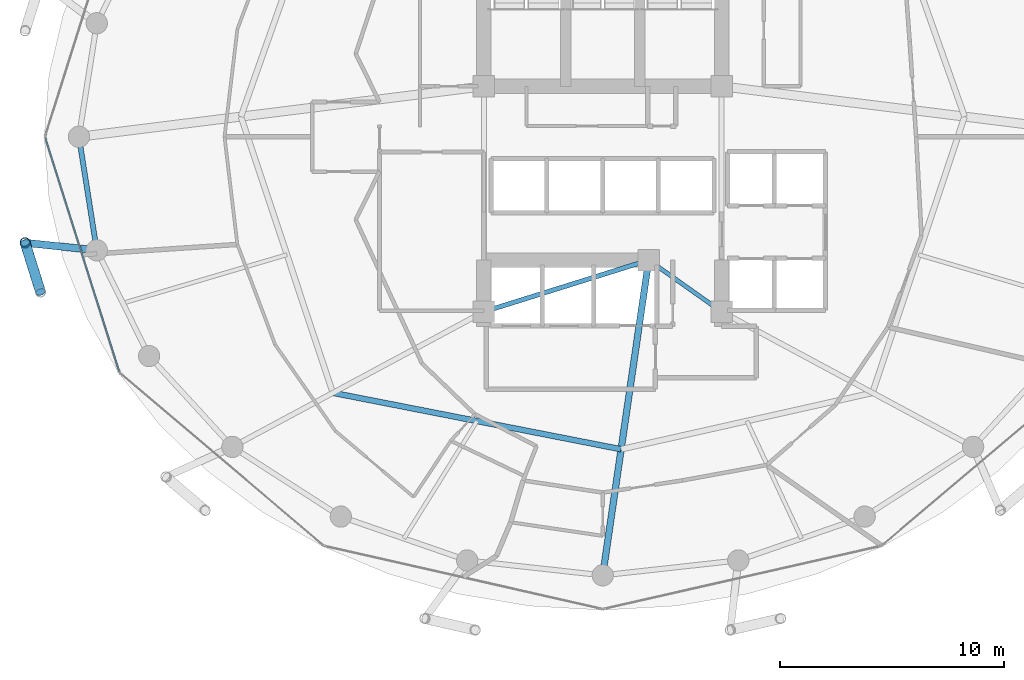
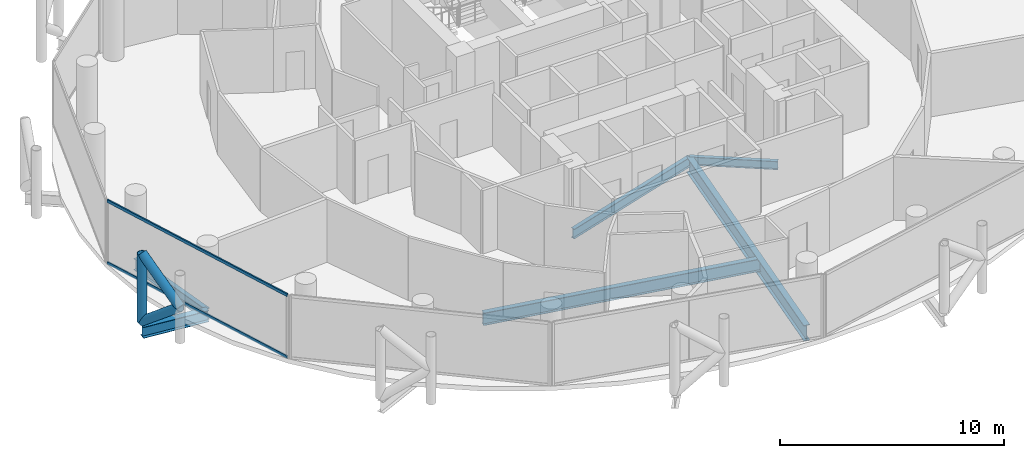
# One storey, part 5 of 26: 6 beams, 5 members, 1 element without a shape of its own.
"""IFC4 building model written with IfcOpenShell, lengths in metres."""

from ifc_helpers import new_model, si_unit, direction, frame, origin, origin_2d, place, context, subcontext, project, spatial, hollow_rectangle, hollow_circle, i_section, extrude, material, layer, layer_set, material_profile, profile_set, type_object, element, aggregate, save


model = new_model("IFC4")

# Units and contexts
model_context = context("Model", 3, precision=1e-05, world=origin(), true_north=direction((0.0, 1.0)))
body_context = subcontext(model_context, "Body", "Model", "MODEL_VIEW")
ifc_project = project(units=[si_unit("LENGTHUNIT", "METRE"), si_unit("AREAUNIT", "SQUARE_METRE"), si_unit("VOLUMEUNIT", "CUBIC_METRE"), si_unit("PLANEANGLEUNIT", "RADIAN"), si_unit("MASSUNIT", "GRAM", prefix="KILO")], contexts=[model_context])

# Site, building, storey
site_placement = place(None, origin())
site = spatial("IfcSite", under=ifc_project, at=site_placement, CompositionType="ELEMENT")
building_placement = place(site_placement, origin())
building = spatial("IfcBuilding", under=site, at=building_placement, Name="Nuhasar Tower", CompositionType="ELEMENT")
storey_placement = place(building_placement, frame((0.0, 0.0, 155.25)))
storey = spatial("IfcBuildingStorey", under=building, at=storey_placement, Name="L37", CompositionType="ELEMENT", Elevation=155.25)

# Beams
ifc_material_1 = material(Name="Steel S355", Category="steel")
ifc_material_profile_1 = material_profile(ifc_material_1, i_section(OverallWidth=0.25390625, OverallDepth=0.68408203125, WebThickness=0.012451171875, FlangeThickness=0.018798828125, at=origin_2d()), Name="W27X94")
ifc_profile_set_1 = profile_set([ifc_material_profile_1], Name="Steel S355")
beam_type_1 = type_object("IfcBeamType", Name="BM-INRING-W27X94", PredefinedType="BEAM", material=ifc_profile_set_1)
beam_1_placement = place(storey_placement, frame((26.972900390625, 15.385986328125, -0.592041015625), z_axis=(0.981359637088, -0.192180286956, 0.0), x_axis=(0.192180286956, 0.981359637088, 0.0)))
element("IfcBeam", 1, at=beam_1_placement, inside=storey, type_object=beam_type_1, Name="L37 Inner Header Beam 01", PredefinedType="BEAM", context=body_context, shape_type="SweptSolid", body=[
    extrude(i_section(OverallWidth=0.25390625, OverallDepth=0.68408203125, WebThickness=0.012451171875, FlangeThickness=0.018798828125, at=origin_2d()), origin(), (0.0, 0.0, 1.0), 13.09130859375),
])
ifc_material_profile_2 = material_profile(ifc_material_1, i_section(OverallWidth=0.2919921875, OverallDepth=0.85888671875, WebThickness=0.01708984375, FlangeThickness=0.031005859375, at=origin_2d()), Name="W33X169")
ifc_profile_set_2 = profile_set([ifc_material_profile_2], Name="Steel S355")
beam_type_2 = type_object("IfcBeamType", Name="BM-POD-W33X169", PredefinedType="BEAM", material=ifc_profile_set_2)
beam_2_placement = place(storey_placement, frame((41.050048828125, 21.300048828125, -0.678955078125), z_axis=(-0.144381604017, -0.989522082837, 0.0), x_axis=(0.989522082837, -0.144381604017, 0.0)))
element("IfcBeam", 2, at=beam_2_placement, inside=storey, type_object=beam_type_2, Name="L37 Radial Floor Girder 02", PredefinedType="BEAM", context=body_context, shape_type="SweptSolid", body=[
    extrude(i_section(OverallWidth=0.2919921875, OverallDepth=0.85888671875, WebThickness=0.01708984375, FlangeThickness=0.031005859375, at=origin_2d()), origin(), (0.0, 0.0, 1.0), 14.19873046875),
])
ifc_material_profile_3 = material_profile(ifc_material_1, i_section(OverallWidth=0.18994140625, OverallDepth=0.45703125, WebThickness=0.009033203125, FlangeThickness=0.014404296875, at=origin_2d()), Name="W18X50")
ifc_profile_set_3 = profile_set([ifc_material_profile_3], Name="Steel S355")
beam_type_3 = type_object("IfcBeamType", Name="BM-RAD-W18X50", PredefinedType="BEAM", material=ifc_profile_set_3)
beam_3_placement = place(storey_placement, frame((41.050048828125, 21.300048828125, -0.47802734375), z_axis=(0.816265428953, -0.577677028708, 0.0), x_axis=(0.577677028708, 0.816265428953, 0.0)))
element("IfcBeam", 3, at=beam_3_placement, inside=storey, type_object=beam_type_3, Name="L37 Core Ring Girder 2", PredefinedType="BEAM", context=body_context, shape_type="SweptSolid", body=[
    extrude(i_section(OverallWidth=0.18994140625, OverallDepth=0.45703125, WebThickness=0.009033203125, FlangeThickness=0.014404296875, at=origin_2d()), origin(), (0.0, 0.0, 1.0), 3.9814453125),
])
ifc_material_profile_4 = material_profile(ifc_material_1, i_section(OverallWidth=0.208984375, OverallDepth=0.532958984375, WebThickness=0.01025390625, FlangeThickness=0.015625, at=origin_2d()), Name="W21X62")
ifc_profile_set_4 = profile_set([ifc_material_profile_4], Name="Steel S355")
beam_type_4 = type_object("IfcBeamType", Name="BM-RAD-W21X62", PredefinedType="BEAM", material=ifc_profile_set_4)
beam_4_placement = place(storey_placement, frame((33.699951171875, 19.0, -0.51708984375), z_axis=(0.954363709454, 0.298646798205, 0.0), x_axis=(-0.298646798205, 0.954363709454, 0.0)))
element("IfcBeam", 4, at=beam_4_placement, inside=storey, type_object=beam_type_4, Name="L37 Core Ring Girder 1", PredefinedType="BEAM", context=body_context, shape_type="SweptSolid", body=[
    extrude(i_section(OverallWidth=0.208984375, OverallDepth=0.532958984375, WebThickness=0.01025390625, FlangeThickness=0.015625, at=origin_2d()), origin(), (0.0, 0.0, 1.0), 7.70166015625),
])
ifc_material_profile_5 = material_profile(ifc_material_1, i_section(OverallWidth=0.22998046875, OverallDepth=0.616943359375, WebThickness=0.01318359375, FlangeThickness=0.022216796875, at=origin_2d()), Name="W24X94")
ifc_profile_set_5 = profile_set([ifc_material_profile_5], Name="Steel S355")
beam_type_5 = type_object("IfcBeamType", Name="BM-RING-W24X94", PredefinedType="SPANDREL", material=ifc_profile_set_5)
beam_5_placement = place(storey_placement, frame((15.64990234375, 26.800048828125, -0.55908203125), z_axis=(0.155426543608, -0.987847452566, 0.0), x_axis=(0.987847452566, 0.155426543608, 0.0)))
element("IfcBeam", 5, at=beam_5_placement, inside=storey, type_object=beam_type_5, Name="L37 Perimeter Ring Spandrel 13", PredefinedType="SPANDREL", context=body_context, shape_type="SweptSolid", body=[
    extrude(i_section(OverallWidth=0.22998046875, OverallDepth=0.616943359375, WebThickness=0.01318359375, FlangeThickness=0.022216796875, at=origin_2d()), origin(), (0.0, 0.0, 1.0), 5.122314453125),
])
ifc_material_profile_6 = material_profile(ifc_material_1, i_section(OverallWidth=0.323974609375, OverallDepth=0.611083984375, WebThickness=0.0126953125, FlangeThickness=0.01904296875, at=origin_2d()), Name="W24X104")
ifc_profile_set_6 = profile_set([ifc_material_profile_6], Name="Steel S355")
beam_type_6 = type_object("IfcBeamType", Name="BM-TIE-W24X104", PredefinedType="BEAM", material=ifc_profile_set_6)
beam_6_placement = place(storey_placement, frame((16.446044921875, 21.739990234375, -0.554931640625), z_axis=(-0.994577694483, 0.103996200111, 0.0), x_axis=(-0.103996200111, -0.994577694483, 0.0)))
element("IfcBeam", 6, at=beam_6_placement, inside=storey, type_object=beam_type_6, Name="L37 Exoskeleton Node Tie Beam 07", PredefinedType="BEAM", context=body_context, shape_type="SweptSolid", body=[
    extrude(i_section(OverallWidth=0.323974609375, OverallDepth=0.611083984375, WebThickness=0.0126953125, FlangeThickness=0.01904296875, at=origin_2d()), origin(), (0.0, 0.0, 1.0), 3.21142578125),
])

# Curtain wall, members
ifc_material_2 = material(Name="Aluminium 6063-T6", Category="aluminium")
ifc_layer = layer(ifc_material_2, 0.199951171875)
ifc_layer_set = layer_set([ifc_layer], Name="Aluminium 6063-T6")
curtain_wall_type = type_object("IfcCurtainWallType", Name="CW-Z2-HTL", PredefinedType="NOTDEFINED", material=ifc_layer_set)
curtain_wall_placement = place(storey_placement, origin())
curtain_wall = element("IfcCurtainWall", 7, at=curtain_wall_placement, inside=storey, type_object=curtain_wall_type, Name="L37 Unitised Curtain Wall 07", PredefinedType="NOTDEFINED")
ifc_material_profile_7 = material_profile(ifc_material_2, hollow_rectangle(XDim=0.070068359375, YDim=0.159912109375, WallThickness=0.00439453125, at=origin_2d()), Name="CWT-3")
ifc_profile_set_7 = profile_set([ifc_material_profile_7], Name="Aluminium 6063-T6")
member_type_1 = type_object("IfcMemberType", Name="CW-TRN-S3", PredefinedType="USERDEFINED", material=ifc_profile_set_7)
member_1_placement = place(storey_placement, frame((14.1611328125, 26.733154296875, 0.034912109375), z_axis=(0.301608163352, -0.953431967053, 0.0), x_axis=(0.953431967053, 0.301608163352, 0.0)))
member_1 = element("IfcMember", 8, at=member_1_placement, type_object=member_type_1, Name="CW-Z2 transom 1.1", ObjectType="TRANSOM", PredefinedType="USERDEFINED", context=body_context, shape_type="SweptSolid", body=[
    extrude(hollow_rectangle(XDim=0.070068359375, YDim=0.159912109375, WallThickness=0.00439453125, at=origin_2d()), origin(), (0.0, 0.0, 1.0), 10.904296875),
])
member_2_placement = place(storey_placement, frame((14.1611328125, 26.733154296875, 3.4150390625), z_axis=(0.301608163352, -0.953431967053, 0.0), x_axis=(0.953431967053, 0.301608163352, 0.0)))
member_2 = element("IfcMember", 9, at=member_2_placement, type_object=member_type_1, Name="CW-Z2 transom 1.2", ObjectType="TRANSOM", PredefinedType="USERDEFINED", context=body_context, shape_type="SweptSolid", body=[
    extrude(hollow_rectangle(XDim=0.070068359375, YDim=0.159912109375, WallThickness=0.00439453125, at=origin_2d()), origin(), (0.0, 0.0, 1.0), 10.904296875),
])
aggregate(curtain_wall, [member_1, member_2])

# Members
ifc_material_3 = material(Name="Steel S460", Category="steel")
ifc_material_profile_8 = material_profile(ifc_material_3, hollow_circle(Radius=0.228515625, WallThickness=0.022216796875, at=origin_2d()), Name="HSS457X22.2")
ifc_profile_set_8 = profile_set([ifc_material_profile_8], Name="Steel S460")
member_type_2 = type_object("IfcMemberType", Name="EXO-BRONZE-457", PredefinedType="BRACE", material=ifc_profile_set_8)
member_3_placement = place(storey_placement, frame((13.251953125, 22.073974609375, 0.0), z_axis=(0.0, 0.0, 1.0), x_axis=(1.0, 0.0, 0.0)))
element("IfcMember", 10, at=member_3_placement, inside=storey, type_object=member_type_2, Name="L37 Exoskeleton Chord Column EC-07A", PredefinedType="BRACE", context=body_context, shape_type="SweptSolid", body=[
    extrude(hollow_circle(Radius=0.228515625, WallThickness=0.022216796875, at=origin_2d()), origin(), (0.0, 0.0, 1.0), 3.699951171875),
])
member_4_placement = place(storey_placement, frame((13.251953125, 22.073974609375, 0.0), z_axis=(0.233055548538, -0.743577869731, 0.626719285599), x_axis=(0.954228474306, 0.29907861646, 0.0)))
element("IfcMember", 11, at=member_4_placement, inside=storey, type_object=member_type_2, Name="L37 Bronze Diagrid Brace W1-07", PredefinedType="BRACE", context=body_context, shape_type="SweptSolid", body=[
    extrude(hollow_circle(Radius=0.228515625, WallThickness=0.022216796875, at=origin_2d()), origin(), (0.0, 0.0, 1.0), 2.9521484375),
])
member_5_placement = place(storey_placement, frame((13.93994140625, 19.87890625, 1.85009765625), z_axis=(-0.233067628236, 0.74361641074, 0.626669062861), x_axis=(-0.954228474306, -0.29907861646, 0.0)))
element("IfcMember", 12, at=member_5_placement, inside=storey, type_object=member_type_2, Name="L37 Bronze Diagrid Brace W2-07", PredefinedType="BRACE", context=body_context, shape_type="SweptSolid", body=[
    extrude(hollow_circle(Radius=0.228515625, WallThickness=0.022216796875, at=origin_2d()), origin(), (0.0, 0.0, 1.0), 2.951904296875),
])

save(model, "model.ifc")
